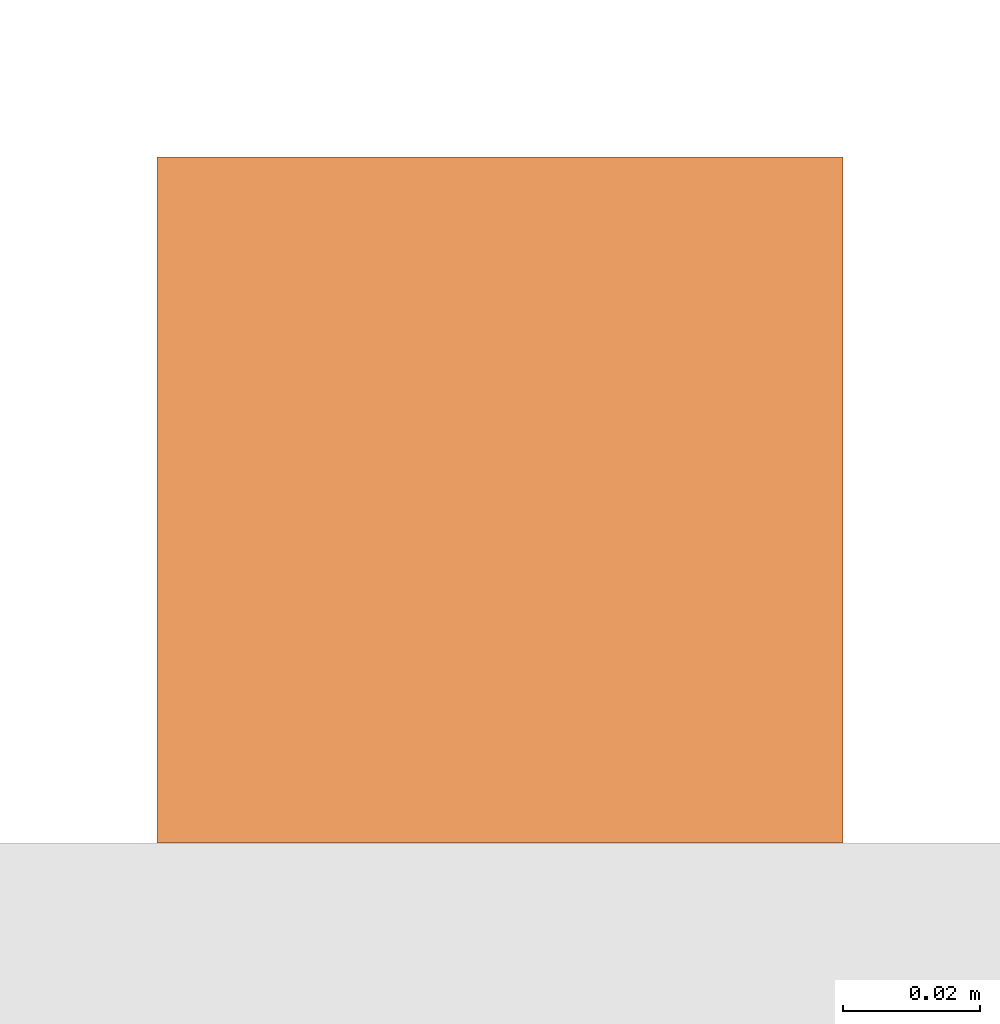
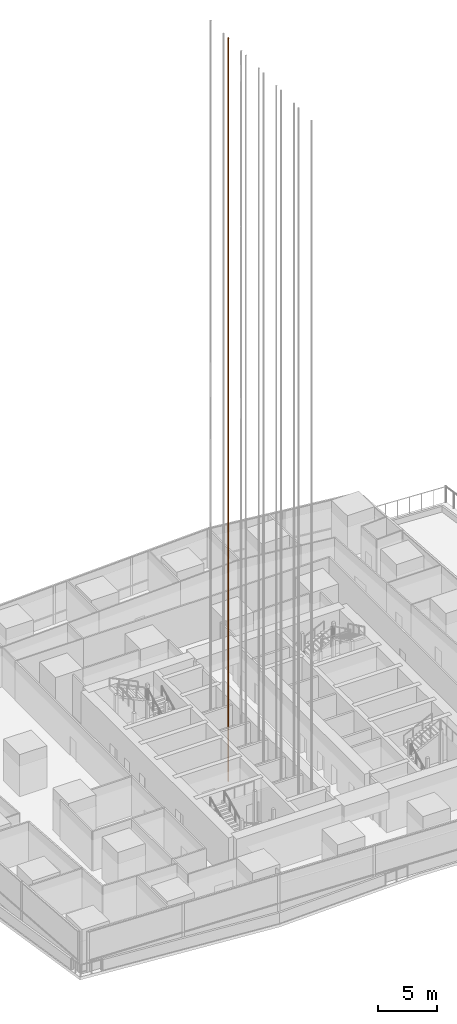
# One storey, part 37 of 39: 1 proxy.
"""IFC4 building model written with IfcOpenShell, lengths in metres."""

from ifc_helpers import new_model, si_unit, direction, frame, origin, origin_2d, place, context, subcontext, project, spatial, rectangle, extrude, material, type_object, element, save


model = new_model("IFC4")

# Units and contexts
model_context = context("Model", 3, precision=1e-05, world=origin(), true_north=direction((0.0, 1.0)))
body_context = subcontext(model_context, "Body", "Model", "MODEL_VIEW")
ifc_project = project(units=[si_unit("LENGTHUNIT", "METRE"), si_unit("AREAUNIT", "SQUARE_METRE"), si_unit("VOLUMEUNIT", "CUBIC_METRE"), si_unit("PLANEANGLEUNIT", "RADIAN"), si_unit("MASSUNIT", "GRAM", prefix="KILO")], contexts=[model_context])

# Site, building, storey
site_placement = place(None, origin())
site = spatial("IfcSite", under=ifc_project, at=site_placement, CompositionType="ELEMENT")
building_placement = place(site_placement, origin())
building = spatial("IfcBuilding", under=site, at=building_placement, Name="Rekha Terrace Tower", CompositionType="ELEMENT")
storey_placement = place(building_placement, frame((0.0, 0.0, 168.199951171875)))
storey = spatial("IfcBuildingStorey", under=building, at=storey_placement, Name="L42", CompositionType="ELEMENT", Elevation=168.199951171875)

# Proxy
ifc_material = material(Name="Steel guide rail", Category="steel")
building_element_proxy_type = type_object("IfcBuildingElementProxyType", Name="LR1 100 lift guide rail", PredefinedType="ELEMENT", material=ifc_material)
proxy_placement = place(storey_placement, frame((34.5, 38.0, -3.2998046875), z_axis=(0.0, 0.0, 1.0), x_axis=(1.0, 0.0, 0.0)))
element("IfcBuildingElementProxy", 1, at=proxy_placement, inside=storey, type_object=building_element_proxy_type, Name="Lift C5 guide rail 2", PredefinedType="ELEMENT", context=body_context, shape_type="SweptSolid", body=[
    extrude(rectangle(XDim=0.10009765625, YDim=0.10009765625, at=origin_2d()), origin(), (0.0, 0.0, 1.0), 77.39990234375),
])

save(model, "model.ifc")
